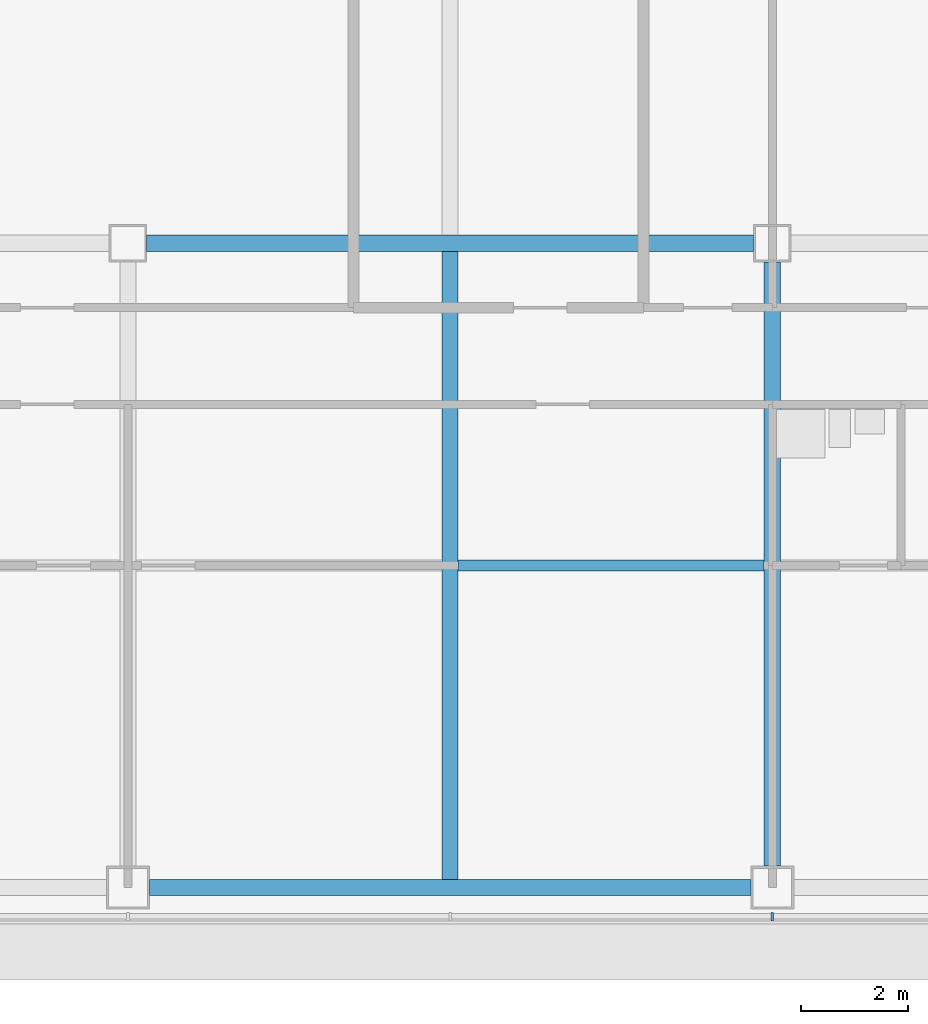
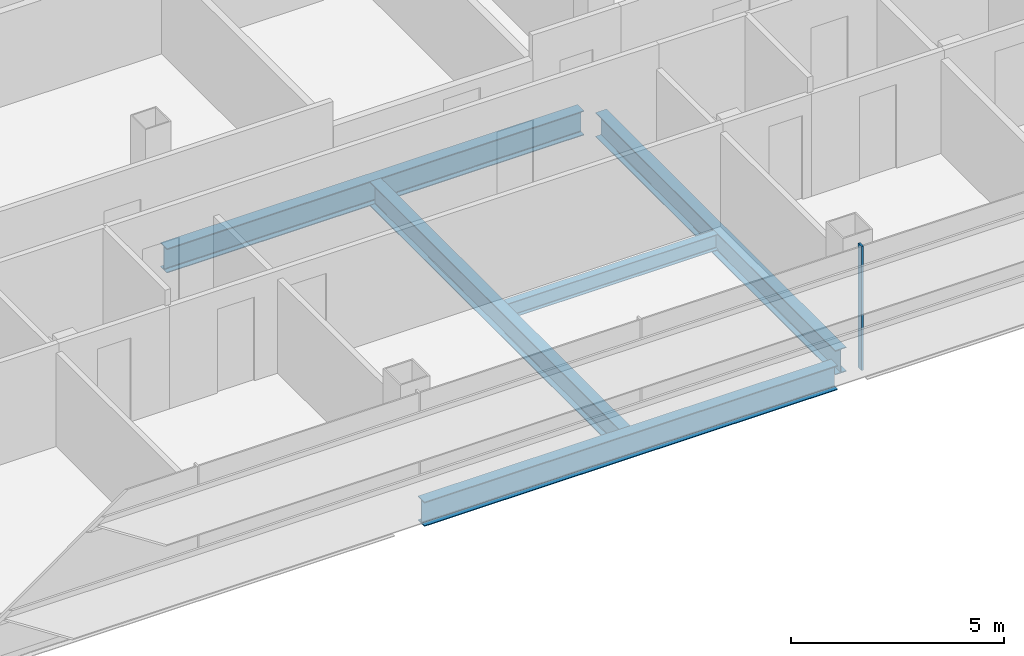
# One storey, part 3 of 26: 5 beams, 1 member, 1 element without a shape of its own.
"""IFC4 building model written with IfcOpenShell, lengths in metres."""

from ifc_helpers import new_model, si_unit, direction, frame, origin, origin_2d, place, context, subcontext, project, spatial, rectangle, i_section, extrude, material, material_profile, profile_set, type_object, element, aggregate, save


model = new_model("IFC4")

# Units and contexts
model_context = context("Model", 3, precision=1e-05, world=origin(), true_north=direction((0.0, 1.0)))
body_context = subcontext(model_context, "Body", "Model", "MODEL_VIEW")
ifc_project = project(units=[si_unit("LENGTHUNIT", "METRE"), si_unit("AREAUNIT", "SQUARE_METRE"), si_unit("VOLUMEUNIT", "CUBIC_METRE"), si_unit("PLANEANGLEUNIT", "RADIAN"), si_unit("MASSUNIT", "GRAM", prefix="KILO")], contexts=[model_context])

# Site, building, storey
site_placement = place(None, origin())
site = spatial("IfcSite", under=ifc_project, at=site_placement, CompositionType="ELEMENT")
building_placement = place(site_placement, origin())
building = spatial("IfcBuilding", under=site, at=building_placement, Name="Sorahane Residences", CompositionType="ELEMENT")
storey_placement = place(building_placement, frame((0.0, 0.0, 110.60009765625)))
storey = spatial("IfcBuildingStorey", under=building, at=storey_placement, Name="L24", CompositionType="ELEMENT", Elevation=110.60009765625)

# Curtain wall, member
ifc_material_1 = material(Name="Dark low-e glass and black anodised aluminium", Category="aluminium")
curtain_wall_type = type_object("IfcCurtainWallType", Name="Curtain wall CW-1 Typical unitised wall", PredefinedType="NOTDEFINED", material=ifc_material_1)
curtain_wall_placement = place(storey_placement, origin())
curtain_wall = element("IfcCurtainWall", 1, at=curtain_wall_placement, inside=storey, type_object=curtain_wall_type, Name="CW-1 curtain wall L24 S1", PredefinedType="NOTDEFINED")
ifc_material_2 = material(Name="Black anodised aluminium", Category="aluminium")
ifc_material_profile_1 = material_profile(ifc_material_2, rectangle(XDim=0.159912109375, YDim=0.050048828125, at=origin_2d()), Name="Curtain wall mullion CW-1 black anodised aluminium 50x160")
ifc_profile_set_1 = profile_set([ifc_material_profile_1], Name="Black anodised aluminium")
member_type = type_object("IfcMemberType", Name="Curtain wall mullion CW-1 black anodised aluminium 50x160", PredefinedType="MULLION", material=ifc_profile_set_1)
member_placement = place(storey_placement, frame((24.0, -0.5400390625, -0.18017578125), z_axis=(0.0, 0.0, 1.0), x_axis=(0.0, -1.0, 0.0)))
member = element("IfcMember", 2, at=member_placement, type_object=member_type, Name="CW-1 mullion L24 S1.5", PredefinedType="MULLION", context=body_context, shape_type="SweptSolid", body=[
    extrude(rectangle(XDim=0.159912109375, YDim=0.050048828125, at=origin_2d()), origin(), (0.0, 0.0, 1.0), 3.56005859375),
])
aggregate(curtain_wall, [member])

# Beams
ifc_material_3 = material(Name="Steel Q355B", Category="steel")
ifc_material_profile_2 = material_profile(ifc_material_3, i_section(OverallWidth=0.199951171875, OverallDepth=0.449951171875, WebThickness=0.009033203125, FlangeThickness=0.013916015625, FilletRadius=0.02001953125, at=origin_2d()), Name="HN 450x200x9x14")
ifc_profile_set_2 = profile_set([ifc_material_profile_2], Name="Steel Q355B")
beam_type_1 = type_object("IfcBeamType", Name="Steel floor beam HN 450x200x9x14 Q355B", PredefinedType="BEAM", material=ifc_profile_set_2)
beam_1_placement = place(storey_placement, frame((18.14990234375, 6.0, -0.405029296875), z_axis=(1.0, 0.0, 0.0), x_axis=(0.0, 1.0, 0.0)))
element("IfcBeam", 3, at=beam_1_placement, inside=storey, type_object=beam_type_1, Name="Beam L24 072", PredefinedType="BEAM", context=body_context, shape_type="SweptSolid", body=[
    extrude(i_section(OverallWidth=0.199951171875, OverallDepth=0.449951171875, WebThickness=0.009033203125, FlangeThickness=0.013916015625, FilletRadius=0.02001953125, at=origin_2d()), origin(), (0.0, 0.0, 1.0), 5.7001953125),
])
ifc_material_4 = material(Name="Steel Q355B", Category="steel")
ifc_material_profile_3 = material_profile(ifc_material_4, i_section(OverallWidth=0.300048828125, OverallDepth=0.699951171875, WebThickness=0.012939453125, FlangeThickness=0.02392578125, FilletRadius=0.028076171875, at=origin_2d()), Name="HN 700x300x13x24")
ifc_profile_set_3 = profile_set([ifc_material_profile_3], Name="Steel Q355B")
beam_type_2 = type_object("IfcBeamType", Name="Steel floor beam HN 700x300x13x24 Q355B", PredefinedType="BEAM", material=ifc_profile_set_3)
beam_2_placement = place(storey_placement, frame((12.39990234375, 0.0, -0.530029296875), z_axis=(1.0, 0.0, 0.0), x_axis=(0.0, 1.0, 0.0)))
element("IfcBeam", 4, at=beam_2_placement, inside=storey, type_object=beam_type_2, Name="Beam L24 001", PredefinedType="BEAM", context=body_context, shape_type="SweptSolid", body=[
    extrude(i_section(OverallWidth=0.300048828125, OverallDepth=0.699951171875, WebThickness=0.012939453125, FlangeThickness=0.02392578125, FilletRadius=0.028076171875, at=origin_2d()), origin(), (0.0, 0.0, 1.0), 11.2001953125),
])
beam_3_placement = place(storey_placement, frame((12.35009765625, 12.0, -0.530029296875), z_axis=(1.0, 0.0, 0.0), x_axis=(0.0, 1.0, 0.0)))
element("IfcBeam", 5, at=beam_3_placement, inside=storey, type_object=beam_type_2, Name="Beam L24 007", PredefinedType="BEAM", context=body_context, shape_type="SweptSolid", body=[
    extrude(i_section(OverallWidth=0.300048828125, OverallDepth=0.699951171875, WebThickness=0.012939453125, FlangeThickness=0.02392578125, FilletRadius=0.028076171875, at=origin_2d()), origin(), (0.0, 0.0, 1.0), 11.2998046875),
])
beam_4_placement = place(storey_placement, frame((18.0, 0.14990234375, -0.530029296875), z_axis=(0.0, 1.0, 0.0), x_axis=(-1.0, 0.0, 0.0)))
element("IfcBeam", 6, at=beam_4_placement, inside=storey, type_object=beam_type_2, Name="Beam L24 036", PredefinedType="BEAM", context=body_context, shape_type="SweptSolid", body=[
    extrude(i_section(OverallWidth=0.300048828125, OverallDepth=0.699951171875, WebThickness=0.012939453125, FlangeThickness=0.02392578125, FilletRadius=0.028076171875, at=origin_2d()), origin(), (0.0, 0.0, 1.0), 11.7001953125),
])
beam_5_placement = place(storey_placement, frame((24.0, 0.39990234375, -0.530029296875), z_axis=(0.0, 1.0, 0.0), x_axis=(-1.0, 0.0, 0.0)))
element("IfcBeam", 7, at=beam_5_placement, inside=storey, type_object=beam_type_2, Name="Beam L24 042", PredefinedType="BEAM", context=body_context, shape_type="SweptSolid", body=[
    extrude(i_section(OverallWidth=0.300048828125, OverallDepth=0.699951171875, WebThickness=0.012939453125, FlangeThickness=0.02392578125, FilletRadius=0.028076171875, at=origin_2d()), origin(), (0.0, 0.0, 1.0), 11.25),
])

save(model, "model.ifc")
